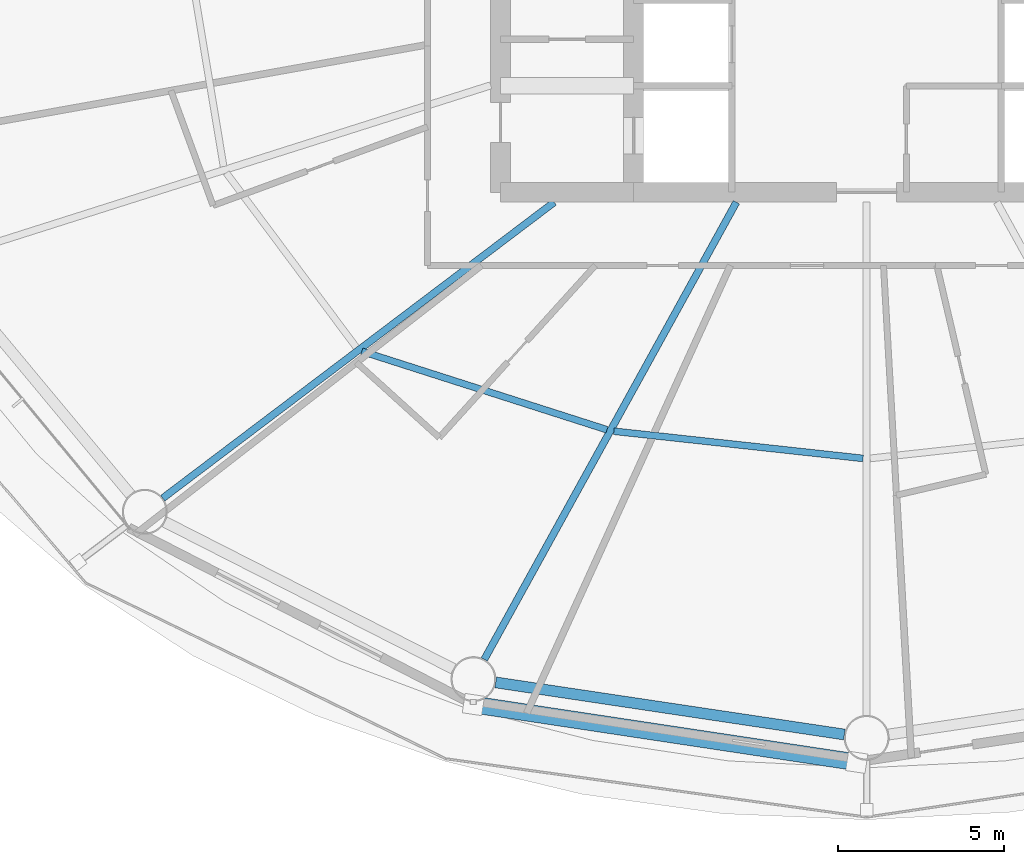
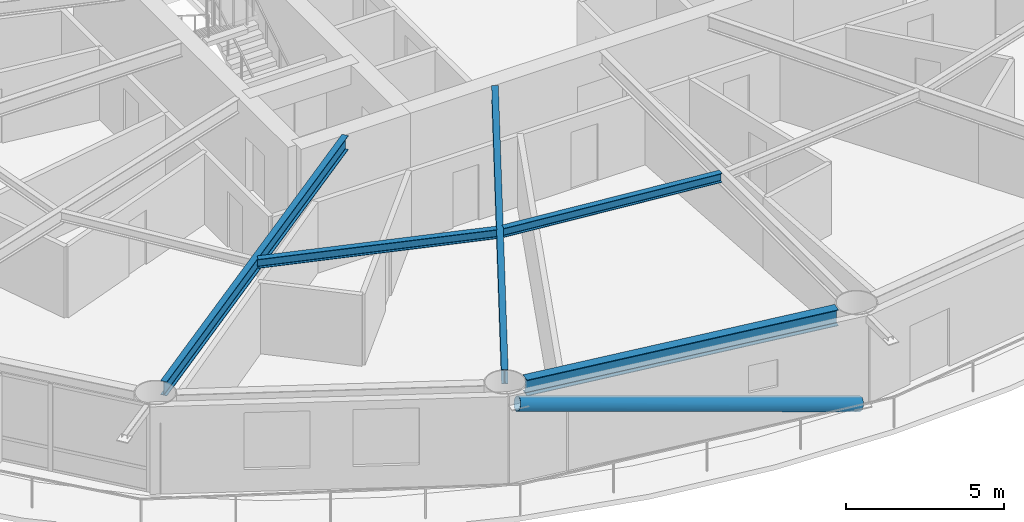
# One storey, part 3 of 26: 5 beams, 1 member.
"""IFC4 building model written with IfcOpenShell, lengths in metres."""

from ifc_helpers import new_model, si_unit, direction, frame, origin, origin_2d, place, context, subcontext, project, spatial, hollow_circle, i_section, extrude, material, material_profile, profile_set, type_object, element, save


model = new_model("IFC4")

# Units and contexts
model_context = context("Model", 3, precision=1e-05, world=origin(), true_north=direction((0.0, 1.0)))
body_context = subcontext(model_context, "Body", "Model", "MODEL_VIEW")
ifc_project = project(units=[si_unit("LENGTHUNIT", "METRE"), si_unit("AREAUNIT", "SQUARE_METRE"), si_unit("VOLUMEUNIT", "CUBIC_METRE"), si_unit("PLANEANGLEUNIT", "RADIAN"), si_unit("MASSUNIT", "GRAM", prefix="KILO")], contexts=[model_context])

# Site, building, storey
site_placement = place(None, origin())
site = spatial("IfcSite", under=ifc_project, at=site_placement, CompositionType="ELEMENT")
building_placement = place(site_placement, origin())
building = spatial("IfcBuilding", under=site, at=building_placement, Name="Sarneth Arch Tower", CompositionType="ELEMENT")
storey_placement = place(building_placement, frame((0.0, 0.0, 57.0)))
storey = spatial("IfcBuildingStorey", under=building, at=storey_placement, Name="L13", CompositionType="ELEMENT", Elevation=57.0)

# Beams
ifc_material_1 = material(Name="Steel S355", Category="steel")
ifc_material_profile_1 = material_profile(ifc_material_1, i_section(OverallWidth=0.2041015625, OverallDepth=0.35009765625, WebThickness=0.008544921875, FlangeThickness=0.01513671875, FilletRadius=0.014892578125, at=origin_2d()), Name="W360x72")
ifc_profile_set_1 = profile_set([ifc_material_profile_1], Name="Steel S355")
beam_type_1 = type_object("IfcBeamType", Name="BM-JOIST-360D", PredefinedType="JOIST", material=ifc_profile_set_1)
beam_1_placement = place(storey_placement, frame((32.82763671875, 30.41845703125, 3.205078125), z_axis=(0.952436240143, -0.304737934073, 0.0), x_axis=(0.304737934073, 0.952436240143, 0.0)))
element("IfcBeam", 1, at=beam_1_placement, inside=storey, type_object=beam_type_1, Name="L13 Secondary floor joist 11", PredefinedType="JOIST", context=body_context, shape_type="SweptSolid", body=[
    extrude(i_section(OverallWidth=0.2041015625, OverallDepth=0.35009765625, WebThickness=0.008544921875, FlangeThickness=0.01513671875, FilletRadius=0.014892578125, at=origin_2d()), origin(), (0.0, 0.0, 1.0), 7.735107421875),
])
beam_2_placement = place(storey_placement, frame((40.403076171875, 28.016845703125, 3.205078125), z_axis=(0.994095251924, -0.108510967657, 0.0), x_axis=(0.108510967657, 0.994095251924, 0.0)))
element("IfcBeam", 2, at=beam_2_placement, inside=storey, type_object=beam_type_1, Name="L13 Secondary floor joist 12", PredefinedType="JOIST", context=body_context, shape_type="SweptSolid", body=[
    extrude(i_section(OverallWidth=0.2041015625, OverallDepth=0.35009765625, WebThickness=0.008544921875, FlangeThickness=0.01513671875, FilletRadius=0.014892578125, at=origin_2d()), origin(), (0.0, 0.0, 1.0), 7.534912109375),
])
ifc_material_2 = material(Name="Steel S355", Category="steel")
ifc_material_profile_2 = material_profile(ifc_material_2, i_section(OverallWidth=0.214111328125, OverallDepth=0.549072265625, WebThickness=0.0146484375, FlangeThickness=0.023681640625, FilletRadius=0.01806640625, at=origin_2d()), Name="W530x138")
ifc_profile_set_2 = profile_set([ifc_material_profile_2], Name="Steel S355")
beam_type_2 = type_object("IfcBeamType", Name="BM-RAD-530A", PredefinedType="BEAM", material=ifc_profile_set_2)
beam_3_placement = place(storey_placement, frame((38.609619140625, 34.89990234375, 3.10546875), z_axis=(-0.797656612852, -0.603111870198, 0.0), x_axis=(0.603111870198, -0.797656612852, 0.0)))
element("IfcBeam", 3, at=beam_3_placement, inside=storey, type_object=beam_type_2, Name="L13 Radial floor girder 11", PredefinedType="BEAM", context=body_context, shape_type="SweptSolid", body=[
    extrude(i_section(OverallWidth=0.214111328125, OverallDepth=0.549072265625, WebThickness=0.0146484375, FlangeThickness=0.023681640625, FilletRadius=0.01806640625, at=origin_2d()), origin(), (0.0, 0.0, 1.0), 14.7529296875),
])
beam_4_placement = place(storey_placement, frame((44.08544921875, 34.89990234375, 3.10546875), z_axis=(-0.482837562311, -0.875709933952, 0.0), x_axis=(0.875709933952, -0.482837562311, 0.0)))
element("IfcBeam", 4, at=beam_4_placement, inside=storey, type_object=beam_type_2, Name="L13 Radial floor girder 12", PredefinedType="BEAM", context=body_context, shape_type="SweptSolid", body=[
    extrude(i_section(OverallWidth=0.214111328125, OverallDepth=0.549072265625, WebThickness=0.0146484375, FlangeThickness=0.023681640625, FilletRadius=0.01806640625, at=origin_2d()), origin(), (0.0, 0.0, 1.0), 15.693359375),
])
ifc_material_3 = material(Name="Steel S355", Category="steel")
ifc_material_profile_3 = material_profile(ifc_material_3, i_section(OverallWidth=0.326904296875, OverallDepth=0.6220703125, WebThickness=0.015380859375, FlangeThickness=0.0244140625, FilletRadius=0.01904296875, at=origin_2d()), Name="W610x195")
ifc_profile_set_3 = profile_set([ifc_material_profile_3], Name="Steel S355")
beam_type_3 = type_object("IfcBeamType", Name="BM-SPAN-610A", PredefinedType="SPANDREL", material=ifc_profile_set_3)
beam_5_placement = place(storey_placement, frame((36.849853515625, 20.46630859375, 3.069091796875), z_axis=(0.989015788086, -0.147809914809, 0.0), x_axis=(0.147809914809, 0.989015788086, 0.0)))
element("IfcBeam", 5, at=beam_5_placement, inside=storey, type_object=beam_type_3, Name="L13 Perimeter spandrel beam 12", PredefinedType="SPANDREL", context=body_context, shape_type="SweptSolid", body=[
    extrude(i_section(OverallWidth=0.326904296875, OverallDepth=0.6220703125, WebThickness=0.015380859375, FlangeThickness=0.0244140625, FilletRadius=0.01904296875, at=origin_2d()), origin(), (0.0, 0.0, 1.0), 10.59912109375),
])

# Member
ifc_material_4 = material(Name="Steel S355", Category="steel")
ifc_material_profile_4 = material_profile(ifc_material_4, hollow_circle(Radius=0.25390625, WallThickness=0.01611328125, at=origin_2d()), Name="CHS508x16")
ifc_profile_set_4 = profile_set([ifc_material_profile_4], Name="Steel S355")
member_type = type_object("IfcMemberType", Name="MEM-DIAG-BR1", PredefinedType="BRACE", material=ifc_profile_set_4)
member_placement = place(storey_placement, frame((47.703369140625, 18.064697265625, 0.02001953125), z_axis=(-0.957875899759, 0.144316613483, 0.248287083301), x_axis=(-0.1489817545, -0.988839944999, 0.0)))
element("IfcMember", 6, at=member_placement, inside=storey, type_object=member_type, Name="L13 Perimeter frame diagonal 12", PredefinedType="BRACE", context=body_context, shape_type="SweptSolid", body=[
    extrude(hollow_circle(Radius=0.25390625, WallThickness=0.01611328125, at=origin_2d()), origin(), (0.0, 0.0, 1.0), 12.02978515625),
])

save(model, "model.ifc")
